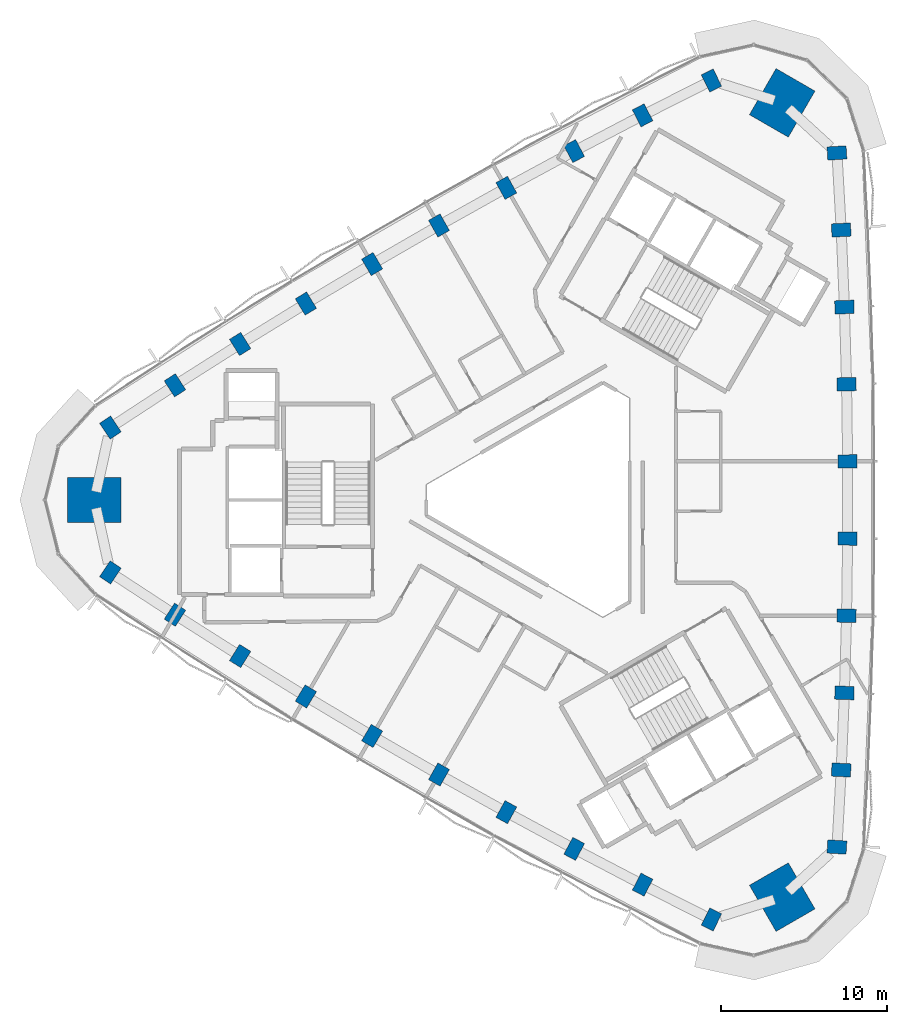
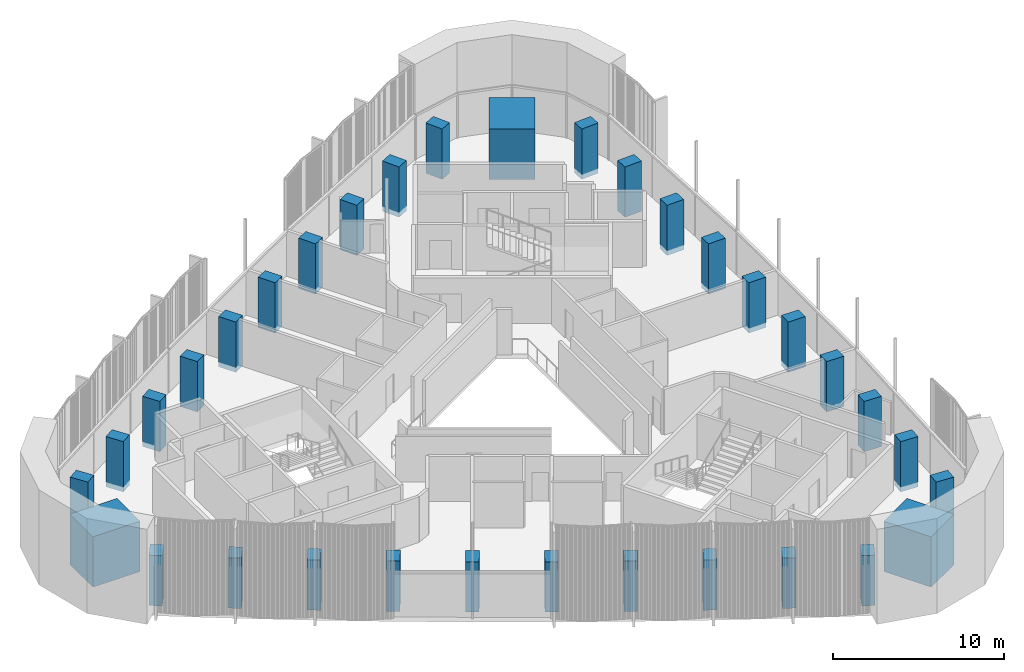
# One storey, part 1 of 13: 33 columns.
"""IFC4 building model written with IfcOpenShell, lengths in metres."""

from ifc_helpers import new_model, si_unit, direction, frame, origin, origin_2d, place, context, subcontext, project, spatial, rectangle, extrude, material, material_profile, profile_set, type_object, element, save


model = new_model("IFC4")

# Units and contexts
model_context = context("Model", 3, precision=1e-05, world=origin(), true_north=direction((0.0, 1.0)))
body_context = subcontext(model_context, "Body", "Model", "MODEL_VIEW")
ifc_project = project(units=[si_unit("LENGTHUNIT", "METRE"), si_unit("AREAUNIT", "SQUARE_METRE"), si_unit("VOLUMEUNIT", "CUBIC_METRE"), si_unit("PLANEANGLEUNIT", "RADIAN"), si_unit("MASSUNIT", "GRAM", prefix="KILO")], contexts=[model_context])

# Site, building, storey
site_placement = place(None, origin())
site = spatial("IfcSite", under=ifc_project, at=site_placement, CompositionType="ELEMENT")
building_placement = place(site_placement, origin())
building = spatial("IfcBuilding", under=site, at=building_placement, Name="Tamra Quay Hotel Tower", CompositionType="ELEMENT")
storey_placement = place(building_placement, frame((0.0, 0.0, 204.39990234375)))
storey = spatial("IfcBuildingStorey", under=building, at=storey_placement, Name="L51", CompositionType="ELEMENT", Elevation=204.39990234375)

# Columns
ifc_material = material(Name="Concrete M70", Category="concrete")
ifc_material_profile_1 = material_profile(ifc_material, rectangle(XDim=1.14990234375, YDim=0.800048828125, at=origin_2d()), Name="COLUMN RC 800x1150 Z4")
ifc_profile_set_1 = profile_set([ifc_material_profile_1], Name="Concrete M70")
column_type_1 = type_object("IfcColumnType", Name="COLUMN RC 800x1150 Z4", PredefinedType="COLUMN", material=ifc_profile_set_1)
for number, where, z_axis, x_axis, name in (
    (1, (17.069580078125, -20.856201171875, -0.349853515625), (0.0, 0.0, 1.0), (-0.998081035395, 0.061921295089, 0.0), "COL-C4E01-L51"),
    (2, (17.326416015625, -16.2255859375, -0.349853515625), (0.0, 0.0, 1.0), (-0.998830734492, 0.048344222345, 0.0), "COL-C4E02-L51"),
    (3, (17.519287109375, -11.592041015625, -0.349853515625), (0.0, 0.0, 1.0), (-0.999411600314, 0.034299462929, 0.0), "COL-C4E03-L51"),
    (4, (17.648193359375, -6.955810546875, -0.349853515625), (0.0, 0.0, 1.0), (-0.99977704996, 0.021115169271, 0.0), "COL-C4E04-L51"),
    (5, (17.71240234375, -2.318603515625, -0.349853515625), (0.0, 0.0, 1.0), (-0.999975214668, 0.007040600034, 0.0), "COL-C4E05-L51"),
    (6, (17.71240234375, 2.318603515625, -0.349853515625), (0.0, 0.0, 1.0), (0.999975214668, 0.007040600034, 0.0), "COL-C4E06-L51"),
    (7, (17.648193359375, 6.955810546875, -0.349853515625), (0.0, 0.0, 1.0), (0.99977704996, 0.021115169271, 0.0), "COL-C4E07-L51"),
    (8, (17.519287109375, 11.592041015625, -0.349853515625), (0.0, 0.0, 1.0), (0.999411600314, 0.034299462929, 0.0), "COL-C4E08-L51"),
    (9, (17.326416015625, 16.2255859375, -0.349853515625), (0.0, 0.0, 1.0), (0.998830734492, 0.048344222345, 0.0), "COL-C4E09-L51"),
    (10, (17.069580078125, 20.856201171875, -0.349853515625), (0.0, 0.0, 1.0), (0.998081035395, 0.061921295089, 0.0), "COL-C4E10-L51"),
    (11, (9.527099609375, 25.210693359375, -0.349853515625), (0.0, 0.0, 1.0), (-0.445415103115, 0.895324179232, 0.0), "COL-C4NW01-L51"),
    (12, (5.388427734375, 23.117919921875, -0.349853515625), (0.0, 0.0, 1.0), (-0.457548042569, 0.889184901323, 0.0), "COL-C4NW02-L51"),
    (13, (1.279296875, 20.96826171875, -0.349853515625), (0.0, 0.0, 1.0), (-0.470001593924, 0.882665566174, 0.0), "COL-C4NW03-L51"),
    (14, (-2.80029296875, 18.76171875, -0.349853515625), (0.0, 0.0, 1.0), (-0.481602251986, 0.876389908021, 0.0), "COL-C4NW04-L51"),
    (15, (-6.84814453125, 16.498779296875, -0.349853515625), (0.0, 0.0, 1.0), (-0.493890268847, 0.869524239075, 0.0), "COL-C4NW05-L51"),
    (16, (-10.8642578125, 14.18017578125, -0.349853515625), (0.0, 0.0, 1.0), (-0.506084945822, 0.862483639041, 0.0), "COL-C4NW06-L51"),
    (17, (-14.847900390625, 11.805908203125, -0.349853515625), (0.0, 0.0, 1.0), (-0.518174797974, 0.855274738751, 0.0), "COL-C4NW07-L51"),
    (18, (-18.798583984375, 9.376220703125, -0.349853515625), (0.0, 0.0, 1.0), (-0.52941000639, 0.848366103245, 0.0), "COL-C4NW08-L51"),
    (19, (-22.71484375, 6.892333984375, -0.349853515625), (0.0, 0.0, 1.0), (-0.541282691923, 0.840840678978, 0.0), "COL-C4NW09-L51"),
    (20, (-26.5966796875, 4.3544921875, -0.349853515625), (0.0, 0.0, 1.0), (-0.55266593228, 0.833402884143, 0.0), "COL-C4NW10-L51"),
    (21, (-26.5966796875, -4.3544921875, -0.349853515625), (0.0, 0.0, 1.0), (0.55266593228, 0.833402884143, 0.0), "COL-C4SW01-L51"),
    (22, (-22.71484375, -6.892333984375, -0.349853515625), (0.0, 0.0, 1.0), (0.541282691923, 0.840840678978, 0.0), "COL-C4SW02-L51"),
    (23, (-18.798583984375, -9.376220703125, -0.349853515625), (0.0, 0.0, 1.0), (0.52941000639, 0.848366103245, 0.0), "COL-C4SW03-L51"),
    (24, (-14.847900390625, -11.805908203125, -0.349853515625), (0.0, 0.0, 1.0), (0.518174797974, 0.855274738751, 0.0), "COL-C4SW04-L51"),
    (25, (-10.8642578125, -14.18017578125, -0.349853515625), (0.0, 0.0, 1.0), (0.506084945822, 0.862483639041, 0.0), "COL-C4SW05-L51"),
    (26, (-6.84814453125, -16.498779296875, -0.349853515625), (0.0, 0.0, 1.0), (0.493890268847, 0.869524239075, 0.0), "COL-C4SW06-L51"),
    (27, (-2.80029296875, -18.76171875, -0.349853515625), (0.0, 0.0, 1.0), (0.481602251986, 0.876389908021, 0.0), "COL-C4SW07-L51"),
    (28, (1.279296875, -20.96826171875, -0.349853515625), (0.0, 0.0, 1.0), (0.470001593924, 0.882665566174, 0.0), "COL-C4SW08-L51"),
    (29, (5.388427734375, -23.117919921875, -0.349853515625), (0.0, 0.0, 1.0), (0.457548042569, 0.889184901323, 0.0), "COL-C4SW09-L51"),
    (30, (9.527099609375, -25.210693359375, -0.349853515625), (0.0, 0.0, 1.0), (0.445415103115, 0.895324179232, 0.0), "COL-C4SW10-L51"),
):
    element("IfcColumn", number, at=place(storey_placement, frame(where, z_axis=z_axis, x_axis=x_axis)), inside=storey, type_object=column_type_1, Name=name, PredefinedType="COLUMN", context=body_context, shape_type="SweptSolid", body=[
        extrude(rectangle(XDim=1.14990234375, YDim=0.800048828125, at=origin_2d()), origin(), (0.0, 0.0, 1.0), 3.599853515625),
    ])
ifc_material_profile_2 = material_profile(ifc_material, rectangle(XDim=3.199951171875, YDim=2.699951171875, at=origin_2d()), Name="MEGA COLUMN RC 2700x3200 Z4")
ifc_profile_set_2 = profile_set([ifc_material_profile_2], Name="Concrete M70")
column_type_2 = type_object("IfcColumnType", Name="MEGA COLUMN RC 2700x3200 Z4", PredefinedType="COLUMN", material=ifc_profile_set_2)
for number, where, z_axis, x_axis, name in (
    (31, (13.779541015625, 23.86669921875, -0.349853515625), (0.0, 0.0, 1.0), (0.5, 0.866025403784, 0.0), "COL-M4NE-L51"),
    (32, (-27.55908203125, 0.0, -0.349853515625), (0.0, 0.0, 1.0), (1.0, 0.0, 0.0), "COL-M4W-L51"),
    (33, (13.779541015625, -23.86669921875, -0.349853515625), (0.0, 0.0, 1.0), (-0.5, 0.866025403784, 0.0), "COL-M4SE-L51"),
):
    element("IfcColumn", number, at=place(storey_placement, frame(where, z_axis=z_axis, x_axis=x_axis)), inside=storey, type_object=column_type_2, Name=name, PredefinedType="COLUMN", context=body_context, shape_type="SweptSolid", body=[
        extrude(rectangle(XDim=3.199951171875, YDim=2.699951171875, at=origin_2d()), origin(), (0.0, 0.0, 1.0), 3.599853515625),
    ])

save(model, "model.ifc")
